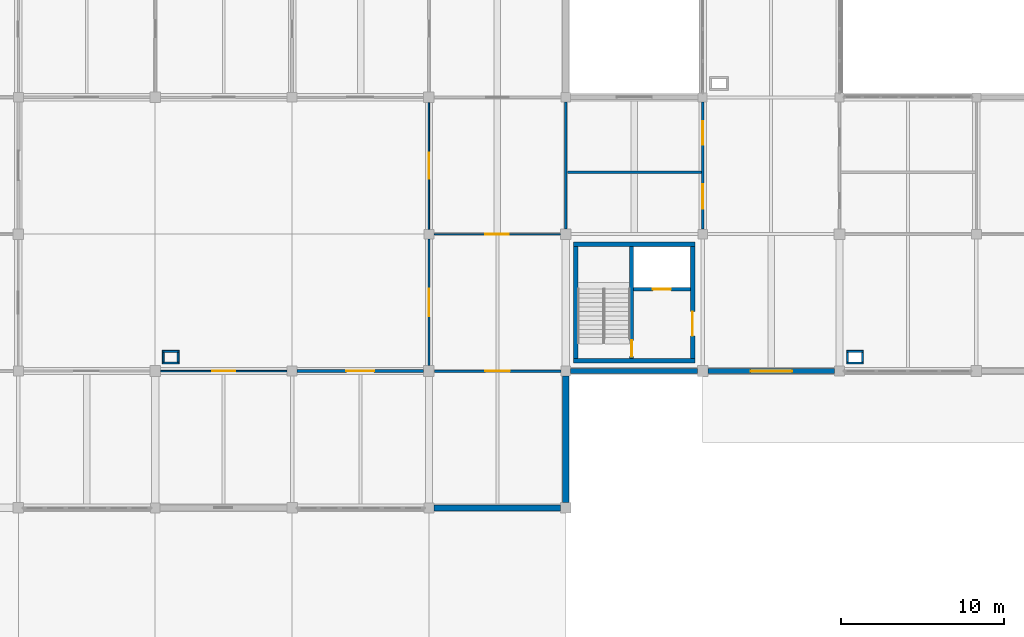
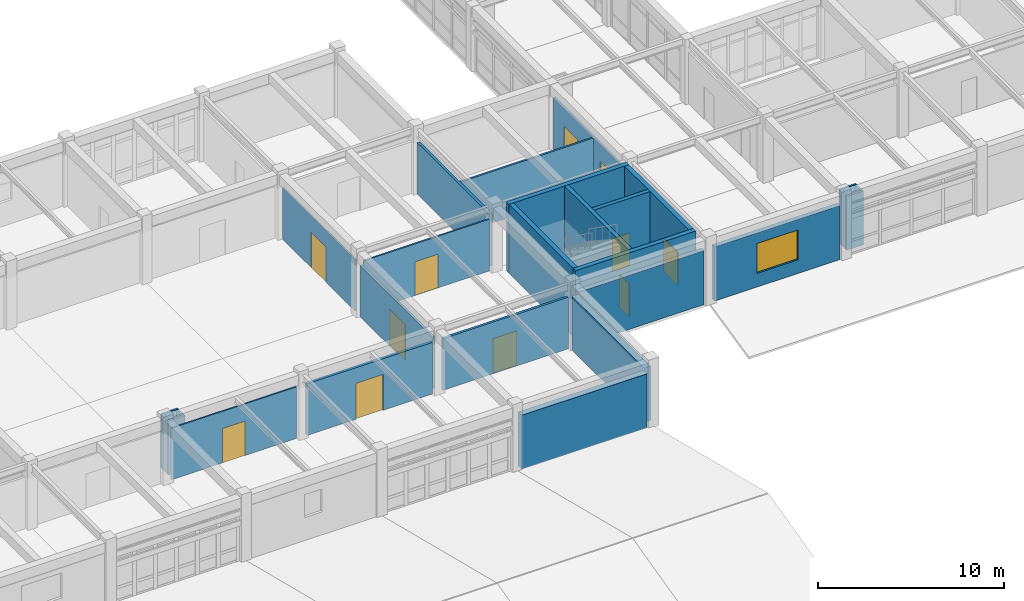
# One storey, part 63 of 78: 27 walls, 11 doors, 1 window, 12 openings.
"""IFC4 building model written with IfcOpenShell, lengths in metres."""

from ifc_helpers import new_model, si_unit, direction, frame, frame_2d, origin, place, context, subcontext, project, spatial, rectangle, extrude, material, layer, layer_set, type_object, element, fill, save


model = new_model("IFC4")

# Units and contexts
model_context = context("Model", 3, precision=1e-05, world=origin(), true_north=direction((0.0, 1.0)))
body_context = subcontext(model_context, "Body", "Model", "MODEL_VIEW")
ifc_project = project(units=[si_unit("LENGTHUNIT", "METRE"), si_unit("AREAUNIT", "SQUARE_METRE"), si_unit("VOLUMEUNIT", "CUBIC_METRE"), si_unit("PLANEANGLEUNIT", "RADIAN"), si_unit("MASSUNIT", "GRAM", prefix="KILO")], contexts=[model_context])

# Site, building, storey
site_placement = place(None, origin())
site = spatial("IfcSite", under=ifc_project, at=site_placement, CompositionType="ELEMENT")
building_placement = place(site_placement, origin())
building = spatial("IfcBuilding", under=site, at=building_placement, Name="Porcellanite Civic Hall", CompositionType="ELEMENT")
storey_placement = place(building_placement, frame((0.0, 0.0, 10.260009765625)))
storey = spatial("IfcBuildingStorey", under=building, at=storey_placement, Name="L02", CompositionType="ELEMENT", Elevation=10.260009765625)

# Wall, opening, door
ifc_material_1 = material(Name="Concrete N40 (40 MPa)", Category="concrete")
ifc_layer_1 = layer(ifc_material_1, 0.239990234375)
ifc_layer_set_1 = layer_set([ifc_layer_1], Name="Concrete N40 (40 MPa)")
wall_type_1 = type_object("IfcWallType", Name="CW-SH240", PredefinedType="SHEAR", material=ifc_layer_set_1)
wall_1_placement = place(storey_placement, frame((113.239990234375, 51.159912109375, 0.0), z_axis=(0.0, 0.0, 1.0), x_axis=(0.0, 1.0, 0.0)))
wall_1 = element("IfcWall", 1, at=wall_1_placement, inside=storey, type_object=wall_type_1, Name="Core divider C6 L02", PredefinedType="SHEAR", context=body_context, shape_type="SweptSolid", body=[
    extrude(rectangle(XDim=6.880126953125, YDim=0.239990234375, at=frame_2d((3.43994140625, 0.0))), origin(), (0.0, 0.0, 1.0), 4.5),
])
opening_1_placement = place(wall_1_placement, frame((0.1201171875, 0.0, 0.0)))
opening_1 = element("IfcOpeningElement", 2, at=opening_1_placement, cuts=wall_1, Name="Opening FD-C6-L02-ST", PredefinedType="OPENING", context=body_context, shape_type="SweptSolid", body=[
    extrude(rectangle(XDim=1.0, YDim=2.14990234375, at=frame_2d((0.5, 1.074951171875))), frame((0.0, 0.1201171875, 0.0), z_axis=(0.0, -1.0, 0.0), x_axis=(1.0, 0.0, 0.0)), (0.0, 0.0, 1.0), 0.239990234375),
])
ifc_material_2 = material(Name="Fire-rated solid-core hardwood timber", Category="wood")
door_type_1 = type_object("IfcDoorType", Name="DR-FD100", OperationType="NOTDEFINED", PredefinedType="DOOR", material=ifc_material_2)
door_1_placement = place(opening_1_placement, origin())
door_1 = element("IfcDoor", 3, at=door_1_placement, inside=storey, type_object=door_type_1, Name="Fire stair door FD-C6-L02-ST", OperationType="SINGLE_SWING_LEFT", OverallHeight=2.14990234375, OverallWidth=1.0, PredefinedType="DOOR", context=body_context, shape_type="SweptSolid", body=[
    extrude(rectangle(XDim=1.0, YDim=2.14990234375, at=frame_2d((0.5, 1.074951171875))), frame((0.0, 0.02490234375, 0.0), z_axis=(0.0, -1.0, 0.0), x_axis=(1.0, 0.0, 0.0)), (0.0, 0.0, 1.0), 0.050048828125),
])
fill(opening_1, door_1)

wall_2_placement = place(storey_placement, frame((113.360107421875, 55.419921875, 0.0), z_axis=(0.0, 0.0, 1.0), x_axis=(1.0, 0.0, 0.0)))
wall_2 = element("IfcWall", 4, at=wall_2_placement, inside=storey, type_object=wall_type_1, Name="Lift shaft wall C6 L02", PredefinedType="SHEAR", context=body_context, shape_type="SweptSolid", body=[
    extrude(rectangle(XDim=3.47998046875, YDim=0.239990234375, at=frame_2d((1.739990234375, 0.0))), origin(), (0.0, 0.0, 1.0), 4.5),
])
opening_2_placement = place(wall_2_placement, frame((1.18994140625, 0.0, 0.0)))
opening_2 = element("IfcOpeningElement", 5, at=opening_2_placement, cuts=wall_2, Name="Opening LD-06", PredefinedType="OPENING", context=body_context, shape_type="SweptSolid", body=[
    extrude(rectangle(XDim=1.10009765625, YDim=2.14990234375, at=frame_2d((0.550048828125, 1.074951171875))), frame((0.0, 0.1201171875, 0.0), z_axis=(0.0, -1.0, 0.0), x_axis=(1.0, 0.0, 0.0)), (0.0, 0.0, 1.0), 0.239990234375),
])
ifc_material_3 = material(Name="Brushed stainless steel 316", Category="steel")
door_type_2 = type_object("IfcDoorType", Name="DR-LD110", OperationType="DOUBLE_DOOR_SLIDING", PredefinedType="DOOR", material=ifc_material_3)
door_2_placement = place(opening_2_placement, origin())
door_2 = element("IfcDoor", 6, at=door_2_placement, inside=storey, type_object=door_type_2, Name="Lift landing sliding door LD-06 L02", OperationType="DOUBLE_DOOR_SLIDING", OverallHeight=2.14990234375, OverallWidth=1.10009765625, PredefinedType="DOOR", context=body_context, shape_type="SweptSolid", body=[
    extrude(rectangle(XDim=1.10009765625, YDim=2.14990234375, at=frame_2d((0.550048828125, 1.074951171875))), frame((0.0, 0.02490234375, 0.0), z_axis=(0.0, -1.0, 0.0), x_axis=(1.0, 0.0, 0.0)), (0.0, 0.0, 1.0), 0.050048828125),
])
fill(opening_2, door_2)

# Walls
ifc_material_4 = material(Name="Concrete N40 (40 MPa)", Category="concrete")
ifc_layer_2 = layer(ifc_material_4, 0.280029296875)
ifc_layer_set_2 = layer_set([ifc_layer_2], Name="Concrete N40 (40 MPa)")
wall_type_2 = type_object("IfcWallType", Name="CW-SH280", PredefinedType="SHEAR", material=ifc_layer_set_2)
wall_3_placement = place(storey_placement, frame((117.1201171875, 51.02001953125, 0.0), z_axis=(0.0, 0.0, 1.0), x_axis=(-1.0, 0.0, 0.0)))
element("IfcWall", 7, at=wall_3_placement, inside=storey, type_object=wall_type_2, Name="Core wall C6 L02 S", PredefinedType="SHEAR", context=body_context, shape_type="SweptSolid", body=[
    extrude(rectangle(XDim=7.440185546875, YDim=0.280029296875, at=frame_2d((3.72021484375, 0.0))), origin(), (0.0, 0.0, 1.0), 4.5),
])
wall_4_placement = place(storey_placement, frame((109.820068359375, 51.159912109375, 0.0), z_axis=(0.0, 0.0, 1.0), x_axis=(0.0, 1.0, 0.0)))
element("IfcWall", 8, at=wall_4_placement, inside=storey, type_object=wall_type_2, Name="Core wall C6 L02 W", PredefinedType="SHEAR", context=body_context, shape_type="SweptSolid", body=[
    extrude(rectangle(XDim=6.880126953125, YDim=0.280029296875, at=frame_2d((3.43994140625, 0.0))), origin(), (0.0, 0.0, 1.0), 4.5),
])
wall_5_placement = place(storey_placement, frame((109.679931640625, 58.179931640625, 0.0), z_axis=(0.0, 0.0, 1.0), x_axis=(1.0, 0.0, 0.0)))
element("IfcWall", 9, at=wall_5_placement, inside=storey, type_object=wall_type_2, Name="Core wall C6 L02 N", PredefinedType="SHEAR", context=body_context, shape_type="SweptSolid", body=[
    extrude(rectangle(XDim=7.440185546875, YDim=0.280029296875, at=frame_2d((3.72021484375, 0.0))), origin(), (0.0, 0.0, 1.0), 4.5),
])

# Wall, opening, door
wall_6_placement = place(storey_placement, frame((116.97998046875, 58.0400390625, 0.0), z_axis=(0.0, 0.0, 1.0), x_axis=(0.0, -1.0, 0.0)))
wall_6 = element("IfcWall", 10, at=wall_6_placement, inside=storey, type_object=wall_type_2, Name="Core wall C6 L02 E", PredefinedType="SHEAR", context=body_context, shape_type="SweptSolid", body=[
    extrude(rectangle(XDim=6.880126953125, YDim=0.280029296875, at=frame_2d((3.43994140625, 0.0))), origin(), (0.0, 0.0, 1.0), 4.5),
])
opening_3_placement = place(wall_6_placement, frame((3.989990234375, 0.0, 0.0)))
opening_3 = element("IfcOpeningElement", 11, at=opening_3_placement, cuts=wall_6, Name="Opening FD-C6-L02-LB", PredefinedType="OPENING", context=body_context, shape_type="SweptSolid", body=[
    extrude(rectangle(XDim=1.5, YDim=2.14990234375, at=frame_2d((0.75, 1.074951171875))), frame((0.0, 0.14013671875, 0.0), z_axis=(0.0, -1.0, 0.0), x_axis=(1.0, 0.0, 0.0)), (0.0, 0.0, 1.0), 0.280029296875),
])
ifc_material_5 = material(Name="Fire-rated steel and Georgian wired glass", Category="steel")
door_type_3 = type_object("IfcDoorType", Name="DR-FD150", OperationType="DOUBLE_DOOR_SINGLE_SWING", PredefinedType="DOOR", material=ifc_material_5)
door_3_placement = place(opening_3_placement, origin())
door_3 = element("IfcDoor", 12, at=door_3_placement, inside=storey, type_object=door_type_3, Name="Fire lobby double door FD-C6-L02-LB", OperationType="DOUBLE_DOOR_SINGLE_SWING", OverallHeight=2.14990234375, OverallWidth=1.5, PredefinedType="DOOR", context=body_context, shape_type="SweptSolid", body=[
    extrude(rectangle(XDim=1.5, YDim=2.14990234375, at=frame_2d((0.75, 1.074951171875))), frame((0.0, 0.02490234375, 0.0), z_axis=(0.0, -1.0, 0.0), x_axis=(1.0, 0.0, 0.0)), (0.0, 0.0, 1.0), 0.050048828125),
])
fill(opening_3, door_3)

# Wall
ifc_material_6 = material(Name="Precast concrete N40 (40 MPa)", Category="concrete")
ifc_layer_3 = layer(ifc_material_6, 0.280029296875)
ifc_layer_set_3 = layer_set([ifc_layer_3], Name="Precast concrete N40 (40 MPa)")
wall_type_3 = type_object("IfcWallType", Name="EW-CLO280", PredefinedType="SOLIDWALL", material=ifc_layer_set_3)
wall_7_placement = place(storey_placement, frame((117.27392578125, 50.39990234375, 0.0), z_axis=(0.0, 0.0, 1.0), x_axis=(-1.0, 0.0, 0.0)))
element("IfcWall", 13, at=wall_7_placement, inside=storey, type_object=wall_type_3, Name="Exterior wall L02 S 14-7", PredefinedType="SOLIDWALL", context=body_context, shape_type="SweptSolid", body=[
    extrude(rectangle(XDim=7.77294921875, YDim=0.280029296875, at=frame_2d((3.886474609375, 0.0))), origin(), (0.0, 0.0, 1.0), 3.5400390625),
])

# Wall, opening, window
wall_8_placement = place(storey_placement, frame((125.698974609375, 50.39990234375, 0.0), z_axis=(0.0, 0.0, 1.0), x_axis=(-1.0, 0.0, 0.0)))
wall_8 = element("IfcWall", 14, at=wall_8_placement, inside=storey, type_object=wall_type_3, Name="Exterior wall L02 S 15-7", PredefinedType="SOLIDWALL", context=body_context, shape_type="SweptSolid", body=[
    extrude(rectangle(XDim=7.77294921875, YDim=0.280029296875, at=frame_2d((3.886474609375, 0.0))), origin(), (0.0, 0.0, 1.0), 3.5400390625),
])
opening_4_placement = place(wall_8_placement, frame((2.611083984375, 0.0, 0.89990234375)))
opening_4 = element("IfcOpeningElement", 15, at=opening_4_placement, cuts=wall_8, Name="Opening W33", PredefinedType="OPENING", context=body_context, shape_type="SweptSolid", body=[
    extrude(rectangle(XDim=2.550048828125, YDim=1.949951171875, at=frame_2d((1.27490234375, 0.97509765625))), frame((0.0, 0.14013671875, 0.0), z_axis=(0.0, -1.0, 0.0), x_axis=(1.0, 0.0, 0.0)), (0.0, 0.0, 1.0), 0.280029296875),
])
ifc_material_7 = material(Name="Cyclone laminated low-E glazing in anodised aluminium frame", Category="aluminium")
window_type = type_object("IfcWindowType", Name="WN-33", PartitioningType="TRIPLE_PANEL_VERTICAL", PredefinedType="WINDOW", material=ifc_material_7)
window_placement = place(opening_4_placement, origin())
window = element("IfcWindow", 16, at=window_placement, inside=storey, type_object=window_type, Name="Window W33 L02 S 15-7", OverallHeight=1.949951171875, OverallWidth=2.550048828125, PartitioningType="SINGLE_PANEL", PredefinedType="WINDOW", context=body_context, shape_type="SweptSolid", body=[
    extrude(rectangle(XDim=2.550048828125, YDim=1.949951171875, at=frame_2d((1.27490234375, 0.97509765625))), frame((0.0, 0.030029296875, 0.0), z_axis=(0.0, -1.0, 0.0), x_axis=(1.0, 0.0, 0.0)), (0.0, 0.0, 1.0), 0.06005859375),
])
fill(opening_4, window)

# Walls
ifc_material_8 = material(Name="Precast concrete N40 (40 MPa)", Category="concrete")
ifc_layer_4 = layer(ifc_material_8, 0.3798828125)
ifc_layer_set_4 = layer_set([ifc_layer_4], Name="Precast concrete N40 (40 MPa)")
wall_type_4 = type_object("IfcWallType", Name="EW-DRUM380", PredefinedType="SOLIDWALL", material=ifc_layer_set_4)
wall_9_placement = place(storey_placement, frame((108.8740234375, 42.0, 0.0), z_axis=(0.0, 0.0, 1.0), x_axis=(-1.0, 0.0, 0.0)))
element("IfcWall", 17, at=wall_9_placement, inside=storey, type_object=wall_type_4, Name="Exterior wall L02 S 13-6", PredefinedType="SOLIDWALL", context=body_context, shape_type="SweptSolid", body=[
    extrude(rectangle(XDim=7.77294921875, YDim=0.3798828125, at=frame_2d((3.886474609375, 0.0))), origin(), (0.0, 0.0, 1.0), 3.5400390625),
])
wall_10_placement = place(storey_placement, frame((109.199951171875, 50.09912109375, 0.0), z_axis=(0.0, 0.0, 1.0), x_axis=(0.0, -1.0, 0.0)))
element("IfcWall", 18, at=wall_10_placement, inside=storey, type_object=wall_type_4, Name="Exterior wall L02 E 13-6", PredefinedType="SOLIDWALL", context=body_context, shape_type="SweptSolid", body=[
    extrude(rectangle(XDim=7.773193359375, YDim=0.3798828125, at=frame_2d((3.88671875, 0.0))), origin(), (0.0, 0.0, 1.0), 3.5400390625),
])
ifc_material_9 = material(Name="Fire-rated shaftwall plasterboard on steel studs", Category="steel")
ifc_layer_5 = layer(ifc_material_9, 0.117919921875)
ifc_layer_set_5 = layer_set([ifc_layer_5], Name="Fire-rated shaftwall plasterboard on steel studs")
wall_type_5 = type_object("IfcWallType", Name="IW-FR118", PredefinedType="PARTITIONING", material=ifc_layer_set_5)
for number, where, z_axis, x_axis, name in (
    (19, (84.431884765625, 50.89111328125, 0.0), (0.0, 0.0, 1.0), (1.0, 0.0, 0.0), "Fire riser shaftwall S L02 10-6"),
    (20, (84.431884765625, 51.60888671875, 0.0), (0.0, 0.0, 1.0), (1.0, 0.0, 0.0), "Fire riser shaftwall N L02 10-6"),
):
    element("IfcWall", number, at=place(storey_placement, frame(where, z_axis=z_axis, x_axis=x_axis)), inside=storey, type_object=wall_type_5, Name=name, PredefinedType="PARTITIONING", context=body_context, shape_type="SweptSolid", body=[
        extrude(rectangle(XDim=1.0361328125, YDim=0.117919921875, at=frame_2d((0.51806640625, 0.0))), origin(), (0.0, 0.0, 1.0), 3.530029296875),
    ])
for number, where, z_axis, x_axis, name in (
    (21, (84.490966796875, 50.949951171875, 0.0), (0.0, 0.0, 1.0), (0.0, 1.0, 0.0), "Fire riser shaftwall W L02 10-6"),
    (22, (85.408935546875, 50.949951171875, 0.0), (0.0, 0.0, 1.0), (0.0, 1.0, 0.0), "Fire riser shaftwall E L02 10-6"),
):
    element("IfcWall", number, at=place(storey_placement, frame(where, z_axis=z_axis, x_axis=x_axis)), inside=storey, type_object=wall_type_5, Name=name, PredefinedType="PARTITIONING", context=body_context, shape_type="SweptSolid", body=[
        extrude(rectangle(XDim=0.60009765625, YDim=0.117919921875, at=frame_2d((0.300048828125, 0.0))), origin(), (0.0, 0.0, 1.0), 3.530029296875),
    ])
for number, where, z_axis, x_axis, name in (
    (23, (126.431884765625, 50.89111328125, 0.0), (0.0, 0.0, 1.0), (1.0, 0.0, 0.0), "Fire riser shaftwall S L02 15-6"),
    (24, (126.431884765625, 51.60888671875, 0.0), (0.0, 0.0, 1.0), (1.0, 0.0, 0.0), "Fire riser shaftwall N L02 15-6"),
):
    element("IfcWall", number, at=place(storey_placement, frame(where, z_axis=z_axis, x_axis=x_axis)), inside=storey, type_object=wall_type_5, Name=name, PredefinedType="PARTITIONING", context=body_context, shape_type="SweptSolid", body=[
        extrude(rectangle(XDim=1.0361328125, YDim=0.117919921875, at=frame_2d((0.51806640625, 0.0))), origin(), (0.0, 0.0, 1.0), 3.530029296875),
    ])
for number, where, z_axis, x_axis, name in (
    (25, (126.490966796875, 50.949951171875, 0.0), (0.0, 0.0, 1.0), (0.0, 1.0, 0.0), "Fire riser shaftwall W L02 15-6"),
    (26, (127.408935546875, 50.949951171875, 0.0), (0.0, 0.0, 1.0), (0.0, 1.0, 0.0), "Fire riser shaftwall E L02 15-6"),
):
    element("IfcWall", number, at=place(storey_placement, frame(where, z_axis=z_axis, x_axis=x_axis)), inside=storey, type_object=wall_type_5, Name=name, PredefinedType="PARTITIONING", context=body_context, shape_type="SweptSolid", body=[
        extrude(rectangle(XDim=0.60009765625, YDim=0.117919921875, at=frame_2d((0.300048828125, 0.0))), origin(), (0.0, 0.0, 1.0), 3.530029296875),
    ])

# Wall, opening, door
ifc_material_10 = material(Name="Insulated acoustic plasterboard on light-gauge steel studs", Category="steel")
ifc_layer_6 = layer(ifc_material_10, 0.087890625)
ifc_layer_set_6 = layer_set([ifc_layer_6], Name="Insulated acoustic plasterboard on light-gauge steel studs")
wall_type_6 = type_object("IfcWallType", Name="IW-PT088", PredefinedType="PARTITIONING", material=ifc_layer_set_6)
wall_11_placement = place(storey_placement, frame((100.800048828125, 59.10205078125, 0.0), z_axis=(0.0, 0.0, 1.0), x_axis=(0.0, 1.0, 0.0)))
wall_11 = element("IfcWall", 27, at=wall_11_placement, inside=storey, type_object=wall_type_6, Name="Partition L02 V 12-8", PredefinedType="PARTITIONING", context=body_context, shape_type="SweptSolid", body=[
    extrude(rectangle(XDim=7.77099609375, YDim=0.087890625, at=frame_2d((3.885498046875, 0.0))), origin(), (0.0, 0.0, 1.0), 3.369873046875),
])
opening_5_placement = place(wall_11_placement, frame((3.0849609375, 0.0, 0.0)))
opening_5 = element("IfcOpeningElement", 28, at=opening_5_placement, cuts=wall_11, Name="Opening D-L02-359", PredefinedType="OPENING", context=body_context, shape_type="SweptSolid", body=[
    extrude(rectangle(XDim=1.60009765625, YDim=2.300048828125, at=frame_2d((0.800048828125, 1.14990234375))), frame((0.0, 0.0439453125, 0.0), z_axis=(0.0, -1.0, 0.0), x_axis=(1.0, 0.0, 0.0)), (0.0, 0.0, 1.0), 0.087890625),
])
ifc_material_11 = material(Name="Acoustic spotted-gum timber and safety glass", Category="wood")
door_type_4 = type_object("IfcDoorType", Name="DR-AS160", OperationType="DOUBLE_DOOR_SINGLE_SWING", PredefinedType="DOOR", material=ifc_material_11)
door_4_placement = place(opening_5_placement, origin())
door_4 = element("IfcDoor", 29, at=door_4_placement, inside=storey, type_object=door_type_4, Name="Interior door D-L02-359", OperationType="DOUBLE_DOOR_SINGLE_SWING", OverallHeight=2.300048828125, OverallWidth=1.60009765625, PredefinedType="DOOR", context=body_context, shape_type="SweptSolid", body=[
    extrude(rectangle(XDim=1.60009765625, YDim=2.300048828125, at=frame_2d((0.800048828125, 1.14990234375))), frame((0.0, 0.02490234375, 0.0), z_axis=(0.0, -1.0, 0.0), x_axis=(1.0, 0.0, 0.0)), (0.0, 0.0, 1.0), 0.050048828125),
])
fill(opening_5, door_4)

ifc_material_12 = material(Name="Insulated acoustic plasterboard on light-gauge steel studs", Category="steel")
ifc_layer_7 = layer(ifc_material_12, 0.094970703125)
ifc_layer_set_7 = layer_set([ifc_layer_7], Name="Insulated acoustic plasterboard on light-gauge steel studs")
wall_type_7 = type_object("IfcWallType", Name="IW-PT095", PredefinedType="PARTITIONING", material=ifc_layer_set_7)
wall_12_placement = place(storey_placement, frame((84.326904296875, 50.39990234375, 0.0), z_axis=(0.0, 0.0, 1.0), x_axis=(1.0, 0.0, 0.0)))
wall_12 = element("IfcWall", 30, at=wall_12_placement, inside=storey, type_object=wall_type_7, Name="Partition L02 H 11-6", PredefinedType="PARTITIONING", context=body_context, shape_type="SweptSolid", body=[
    extrude(rectangle(XDim=7.77099609375, YDim=0.094970703125, at=frame_2d((3.885498046875, 0.0))), origin(), (0.0, 0.0, 1.0), 3.369873046875),
])
opening_6_placement = place(wall_12_placement, frame((3.18603515625, 0.0, 0.0)))
opening_6 = element("IfcOpeningElement", 31, at=opening_6_placement, cuts=wall_12, Name="Opening D-L02-334", PredefinedType="OPENING", context=body_context, shape_type="SweptSolid", body=[
    extrude(rectangle(XDim=1.39990234375, YDim=2.25, at=frame_2d((0.699951171875, 1.125))), frame((0.0, 0.04736328125, 0.0), z_axis=(0.0, -1.0, 0.0), x_axis=(1.0, 0.0, 0.0)), (0.0, 0.0, 1.0), 0.094970703125),
])
ifc_material_13 = material(Name="Acoustic spotted-gum timber and safety glass", Category="wood")
door_type_5 = type_object("IfcDoorType", Name="DR-AS140", OperationType="DOUBLE_DOOR_SINGLE_SWING", PredefinedType="DOOR", material=ifc_material_13)
door_5_placement = place(opening_6_placement, origin())
door_5 = element("IfcDoor", 32, at=door_5_placement, inside=storey, type_object=door_type_5, Name="Interior door D-L02-334", OperationType="DOUBLE_DOOR_SINGLE_SWING", OverallHeight=2.25, OverallWidth=1.39990234375, PredefinedType="DOOR", context=body_context, shape_type="SweptSolid", body=[
    extrude(rectangle(XDim=1.39990234375, YDim=2.25, at=frame_2d((0.699951171875, 1.125))), frame((0.0, 0.02490234375, 0.0), z_axis=(0.0, -1.0, 0.0), x_axis=(1.0, 0.0, 0.0)), (0.0, 0.0, 1.0), 0.050048828125),
])
fill(opening_6, door_5)

ifc_material_14 = material(Name="Insulated acoustic plasterboard on light-gauge steel studs", Category="steel")
ifc_layer_8 = layer(ifc_material_14, 0.10498046875)
ifc_layer_set_8 = layer_set([ifc_layer_8], Name="Insulated acoustic plasterboard on light-gauge steel studs")
wall_type_8 = type_object("IfcWallType", Name="IW-PT105", PredefinedType="PARTITIONING", material=ifc_layer_set_8)
wall_13_placement = place(storey_placement, frame((101.10205078125, 58.800048828125, 0.0), z_axis=(0.0, 0.0, 1.0), x_axis=(1.0, 0.0, 0.0)))
wall_13 = element("IfcWall", 33, at=wall_13_placement, inside=storey, type_object=wall_type_8, Name="Partition L02 H 13-7", PredefinedType="PARTITIONING", context=body_context, shape_type="SweptSolid", body=[
    extrude(rectangle(XDim=7.77099609375, YDim=0.10498046875, at=frame_2d((3.885498046875, 0.0))), origin(), (0.0, 0.0, 1.0), 3.369873046875),
])
opening_7_placement = place(wall_13_placement, frame((3.159912109375, 0.0, 0.0)))
opening_7 = element("IfcOpeningElement", 34, at=opening_7_placement, cuts=wall_13, Name="Opening D-L02-340", PredefinedType="OPENING", context=body_context, shape_type="SweptSolid", body=[
    extrude(rectangle(XDim=1.449951171875, YDim=2.199951171875, at=frame_2d((0.72509765625, 1.10009765625))), frame((0.0, 0.052490234375, 0.0), z_axis=(0.0, -1.0, 0.0), x_axis=(1.0, 0.0, 0.0)), (0.0, 0.0, 1.0), 0.10498046875),
])
ifc_material_15 = material(Name="Acoustic spotted-gum timber and safety glass", Category="wood")
door_type_6 = type_object("IfcDoorType", Name="DR-AS145", OperationType="DOUBLE_DOOR_SINGLE_SWING", PredefinedType="DOOR", material=ifc_material_15)
door_6_placement = place(opening_7_placement, origin())
door_6 = element("IfcDoor", 35, at=door_6_placement, inside=storey, type_object=door_type_6, Name="Interior door D-L02-340", OperationType="DOUBLE_DOOR_SINGLE_SWING", OverallHeight=2.199951171875, OverallWidth=1.449951171875, PredefinedType="DOOR", context=body_context, shape_type="SweptSolid", body=[
    extrude(rectangle(XDim=1.449951171875, YDim=2.199951171875, at=frame_2d((0.72509765625, 1.10009765625))), frame((0.0, 0.02490234375, 0.0), z_axis=(0.0, -1.0, 0.0), x_axis=(1.0, 0.0, 0.0)), (0.0, 0.0, 1.0), 0.050048828125),
])
fill(opening_7, door_6)

# Wall
ifc_material_16 = material(Name="Insulated acoustic plasterboard on light-gauge steel studs", Category="steel")
ifc_layer_9 = layer(ifc_material_16, 0.125)
ifc_layer_set_9 = layer_set([ifc_layer_9], Name="Insulated acoustic plasterboard on light-gauge steel studs")
wall_type_9 = type_object("IfcWallType", Name="IW-PT125", PredefinedType="PARTITIONING", material=ifc_layer_set_9)
wall_14_placement = place(storey_placement, frame((109.28955078125, 62.60009765625, 0.0), z_axis=(0.0, 0.0, 1.0), x_axis=(1.0, 0.0, 0.0)))
element("IfcWall", 36, at=wall_14_placement, inside=storey, type_object=wall_type_9, Name="Partition L02 sub 14-8", PredefinedType="PARTITIONING", context=body_context, shape_type="SweptSolid", body=[
    extrude(rectangle(XDim=8.23583984375, YDim=0.125, at=frame_2d((4.117919921875, 0.0))), origin(), (0.0, 0.0, 1.0), 3.369873046875),
])

# Wall, opening, door
ifc_material_17 = material(Name="Insulated acoustic plasterboard on light-gauge steel studs", Category="steel")
ifc_layer_10 = layer(ifc_material_17, 0.135009765625)
ifc_layer_set_10 = layer_set([ifc_layer_10], Name="Insulated acoustic plasterboard on light-gauge steel studs")
wall_type_10 = type_object("IfcWallType", Name="IW-PT135", PredefinedType="PARTITIONING", material=ifc_layer_set_10)
wall_15_placement = place(storey_placement, frame((100.800048828125, 50.72705078125, 0.0), z_axis=(0.0, 0.0, 1.0), x_axis=(0.0, 1.0, 0.0)))
wall_15 = element("IfcWall", 37, at=wall_15_placement, inside=storey, type_object=wall_type_10, Name="Partition L02 V 12-7", PredefinedType="PARTITIONING", context=body_context, shape_type="SweptSolid", body=[
    extrude(rectangle(XDim=7.77099609375, YDim=0.135009765625, at=frame_2d((3.885498046875, 0.0))), origin(), (0.0, 0.0, 1.0), 3.369873046875),
])
opening_8_placement = place(wall_15_placement, frame((3.034912109375, 0.0, 0.0)))
opening_8 = element("IfcOpeningElement", 38, at=opening_8_placement, cuts=wall_15, Name="Opening D-L02-358", PredefinedType="OPENING", context=body_context, shape_type="SweptSolid", body=[
    extrude(rectangle(XDim=1.699951171875, YDim=2.35009765625, at=frame_2d((0.85009765625, 1.175048828125))), frame((0.0, 0.0673828125, 0.0), z_axis=(0.0, -1.0, 0.0), x_axis=(1.0, 0.0, 0.0)), (0.0, 0.0, 1.0), 0.135009765625),
])
ifc_material_18 = material(Name="Acoustic spotted-gum timber and safety glass", Category="wood")
door_type_7 = type_object("IfcDoorType", Name="DR-AS170", OperationType="DOUBLE_DOOR_SINGLE_SWING", PredefinedType="DOOR", material=ifc_material_18)
door_7_placement = place(opening_8_placement, origin())
door_7 = element("IfcDoor", 39, at=door_7_placement, inside=storey, type_object=door_type_7, Name="Interior door D-L02-358", OperationType="DOUBLE_DOOR_SINGLE_SWING", OverallHeight=2.35009765625, OverallWidth=1.699951171875, PredefinedType="DOOR", context=body_context, shape_type="SweptSolid", body=[
    extrude(rectangle(XDim=1.699951171875, YDim=2.35009765625, at=frame_2d((0.85009765625, 1.175048828125))), frame((0.0, 0.02490234375, 0.0), z_axis=(0.0, -1.0, 0.0), x_axis=(1.0, 0.0, 0.0)), (0.0, 0.0, 1.0), 0.050048828125),
])
fill(opening_8, door_7)

# Wall, openings, doors
ifc_material_19 = material(Name="Insulated acoustic plasterboard on light-gauge steel studs", Category="steel")
ifc_layer_11 = layer(ifc_material_19, 0.14501953125)
ifc_layer_set_11 = layer_set([ifc_layer_11], Name="Insulated acoustic plasterboard on light-gauge steel studs")
wall_type_11 = type_object("IfcWallType", Name="IW-PT145", PredefinedType="PARTITIONING", material=ifc_layer_set_11)
wall_16_placement = place(storey_placement, frame((117.60009765625, 59.10205078125, 0.0), z_axis=(0.0, 0.0, 1.0), x_axis=(0.0, 1.0, 0.0)))
wall_16 = element("IfcWall", 40, at=wall_16_placement, inside=storey, type_object=wall_type_11, Name="Partition L02 V 14-8", PredefinedType="PARTITIONING", context=body_context, shape_type="SweptSolid", body=[
    extrude(rectangle(XDim=7.821044921875, YDim=0.14501953125, at=frame_2d((3.91064453125, 0.0))), origin(), (0.0, 0.0, 1.0), 3.369873046875),
])
opening_9_placement = place(wall_16_placement, frame((1.258056640625, 0.0, 0.0)))
opening_9 = element("IfcOpeningElement", 41, at=opening_9_placement, cuts=wall_16, Name="Opening D-L02-318", PredefinedType="OPENING", context=body_context, shape_type="SweptSolid", body=[
    extrude(rectangle(XDim=1.5, YDim=2.25, at=frame_2d((0.75, 1.125))), frame((0.0, 0.072509765625, 0.0), z_axis=(0.0, -1.0, 0.0), x_axis=(1.0, 0.0, 0.0)), (0.0, 0.0, 1.0), 0.14501953125),
])
opening_10_placement = place(wall_16_placement, frame((5.18798828125, 0.0, 0.0)))
opening_10 = element("IfcOpeningElement", 42, at=opening_10_placement, cuts=wall_16, Name="Opening D-L02-319", PredefinedType="OPENING", context=body_context, shape_type="SweptSolid", body=[
    extrude(rectangle(XDim=1.449951171875, YDim=2.199951171875, at=frame_2d((0.72509765625, 1.10009765625))), frame((0.0, 0.072509765625, 0.0), z_axis=(0.0, -1.0, 0.0), x_axis=(1.0, 0.0, 0.0)), (0.0, 0.0, 1.0), 0.14501953125),
])
door_8_placement = place(opening_10_placement, origin())
door_8 = element("IfcDoor", 43, at=door_8_placement, inside=storey, type_object=door_type_6, Name="Interior door D-L02-319", OperationType="DOUBLE_DOOR_SINGLE_SWING", OverallHeight=2.199951171875, OverallWidth=1.449951171875, PredefinedType="DOOR", context=body_context, shape_type="SweptSolid", body=[
    extrude(rectangle(XDim=1.449951171875, YDim=2.199951171875, at=frame_2d((0.72509765625, 1.10009765625))), frame((0.0, 0.02490234375, 0.0), z_axis=(0.0, -1.0, 0.0), x_axis=(1.0, 0.0, 0.0)), (0.0, 0.0, 1.0), 0.050048828125),
])
fill(opening_10, door_8)
ifc_material_20 = material(Name="Acoustic spotted-gum timber and safety glass", Category="wood")
door_type_8 = type_object("IfcDoorType", Name="DR-AS150", OperationType="DOUBLE_DOOR_SINGLE_SWING", PredefinedType="DOOR", material=ifc_material_20)
door_9_placement = place(opening_9_placement, origin())
door_9 = element("IfcDoor", 44, at=door_9_placement, inside=storey, type_object=door_type_8, Name="Interior door D-L02-318", OperationType="DOUBLE_DOOR_SINGLE_SWING", OverallHeight=2.25, OverallWidth=1.5, PredefinedType="DOOR", context=body_context, shape_type="SweptSolid", body=[
    extrude(rectangle(XDim=1.5, YDim=2.25, at=frame_2d((0.75, 1.125))), frame((0.0, 0.02490234375, 0.0), z_axis=(0.0, -1.0, 0.0), x_axis=(1.0, 0.0, 0.0)), (0.0, 0.0, 1.0), 0.050048828125),
])
fill(opening_9, door_9)

# Wall, opening, door
ifc_material_21 = material(Name="Insulated acoustic plasterboard on light-gauge steel studs", Category="steel")
ifc_layer_12 = layer(ifc_material_21, 0.155029296875)
ifc_layer_set_12 = layer_set([ifc_layer_12], Name="Insulated acoustic plasterboard on light-gauge steel studs")
wall_type_12 = type_object("IfcWallType", Name="IW-PT155", PredefinedType="PARTITIONING", material=ifc_layer_set_12)
wall_17_placement = place(storey_placement, frame((101.126953125, 50.39990234375, 0.0), z_axis=(0.0, 0.0, 1.0), x_axis=(1.0, 0.0, 0.0)))
wall_17 = element("IfcWall", 45, at=wall_17_placement, inside=storey, type_object=wall_type_12, Name="Partition L02 H 13-6", PredefinedType="PARTITIONING", context=body_context, shape_type="SweptSolid", body=[
    extrude(rectangle(XDim=7.77099609375, YDim=0.155029296875, at=frame_2d((3.885498046875, 0.0))), origin(), (0.0, 0.0, 1.0), 3.369873046875),
])
opening_11_placement = place(wall_17_placement, frame((3.135009765625, 0.0, 0.0)))
opening_11 = element("IfcOpeningElement", 46, at=opening_11_placement, cuts=wall_17, Name="Opening D-L02-339", PredefinedType="OPENING", context=body_context, shape_type="SweptSolid", body=[
    extrude(rectangle(XDim=1.5, YDim=2.25, at=frame_2d((0.75, 1.125))), frame((0.0, 0.07763671875, 0.0), z_axis=(0.0, -1.0, 0.0), x_axis=(1.0, 0.0, 0.0)), (0.0, 0.0, 1.0), 0.155029296875),
])
door_10_placement = place(opening_11_placement, origin())
door_10 = element("IfcDoor", 47, at=door_10_placement, inside=storey, type_object=door_type_8, Name="Interior door D-L02-339", OperationType="DOUBLE_DOOR_SINGLE_SWING", OverallHeight=2.25, OverallWidth=1.5, PredefinedType="DOOR", context=body_context, shape_type="SweptSolid", body=[
    extrude(rectangle(XDim=1.5, YDim=2.25, at=frame_2d((0.75, 1.125))), frame((0.0, 0.02490234375, 0.0), z_axis=(0.0, -1.0, 0.0), x_axis=(1.0, 0.0, 0.0)), (0.0, 0.0, 1.0), 0.050048828125),
])
fill(opening_11, door_10)

# Wall
ifc_material_22 = material(Name="Insulated acoustic plasterboard on light-gauge steel studs", Category="steel")
ifc_layer_13 = layer(ifc_material_22, 0.175048828125)
ifc_layer_set_13 = layer_set([ifc_layer_13], Name="Insulated acoustic plasterboard on light-gauge steel studs")
wall_type_13 = type_object("IfcWallType", Name="IW-PT175", PredefinedType="PARTITIONING", material=ifc_layer_set_13)
wall_18_placement = place(storey_placement, frame((109.199951171875, 59.126953125, 0.0), z_axis=(0.0, 0.0, 1.0), x_axis=(0.0, 1.0, 0.0)))
element("IfcWall", 48, at=wall_18_placement, inside=storey, type_object=wall_type_13, Name="Partition L02 V 13-8", PredefinedType="PARTITIONING", context=body_context, shape_type="SweptSolid", body=[
    extrude(rectangle(XDim=7.77099609375, YDim=0.175048828125, at=frame_2d((3.885498046875, 0.0))), origin(), (0.0, 0.0, 1.0), 3.369873046875),
])

# Wall, opening, door
ifc_material_23 = material(Name="Insulated acoustic plasterboard on light-gauge steel studs", Category="steel")
ifc_layer_14 = layer(ifc_material_23, 0.18505859375)
ifc_layer_set_14 = layer_set([ifc_layer_14], Name="Insulated acoustic plasterboard on light-gauge steel studs")
wall_type_14 = type_object("IfcWallType", Name="IW-PT185", PredefinedType="PARTITIONING", material=ifc_layer_set_14)
wall_19_placement = place(storey_placement, frame((92.701904296875, 50.39990234375, 0.0), z_axis=(0.0, 0.0, 1.0), x_axis=(1.0, 0.0, 0.0)))
wall_19 = element("IfcWall", 49, at=wall_19_placement, inside=storey, type_object=wall_type_14, Name="Partition L02 H 12-6", PredefinedType="PARTITIONING", context=body_context, shape_type="SweptSolid", body=[
    extrude(rectangle(XDim=7.77099609375, YDim=0.18505859375, at=frame_2d((3.885498046875, 0.0))), origin(), (0.0, 0.0, 1.0), 3.369873046875),
])
opening_12_placement = place(wall_19_placement, frame((3.034912109375, 0.0, 0.0)))
opening_12 = element("IfcOpeningElement", 50, at=opening_12_placement, cuts=wall_19, Name="Opening D-L02-337", PredefinedType="OPENING", context=body_context, shape_type="SweptSolid", body=[
    extrude(rectangle(XDim=1.699951171875, YDim=2.35009765625, at=frame_2d((0.85009765625, 1.175048828125))), frame((0.0, 0.092529296875, 0.0), z_axis=(0.0, -1.0, 0.0), x_axis=(1.0, 0.0, 0.0)), (0.0, 0.0, 1.0), 0.18505859375),
])
door_11_placement = place(opening_12_placement, origin())
door_11 = element("IfcDoor", 51, at=door_11_placement, inside=storey, type_object=door_type_7, Name="Interior door D-L02-337", OperationType="DOUBLE_DOOR_SINGLE_SWING", OverallHeight=2.35009765625, OverallWidth=1.699951171875, PredefinedType="DOOR", context=body_context, shape_type="SweptSolid", body=[
    extrude(rectangle(XDim=1.699951171875, YDim=2.35009765625, at=frame_2d((0.85009765625, 1.175048828125))), frame((0.0, 0.02490234375, 0.0), z_axis=(0.0, -1.0, 0.0), x_axis=(1.0, 0.0, 0.0)), (0.0, 0.0, 1.0), 0.050048828125),
])
fill(opening_12, door_11)

save(model, "model.ifc")
